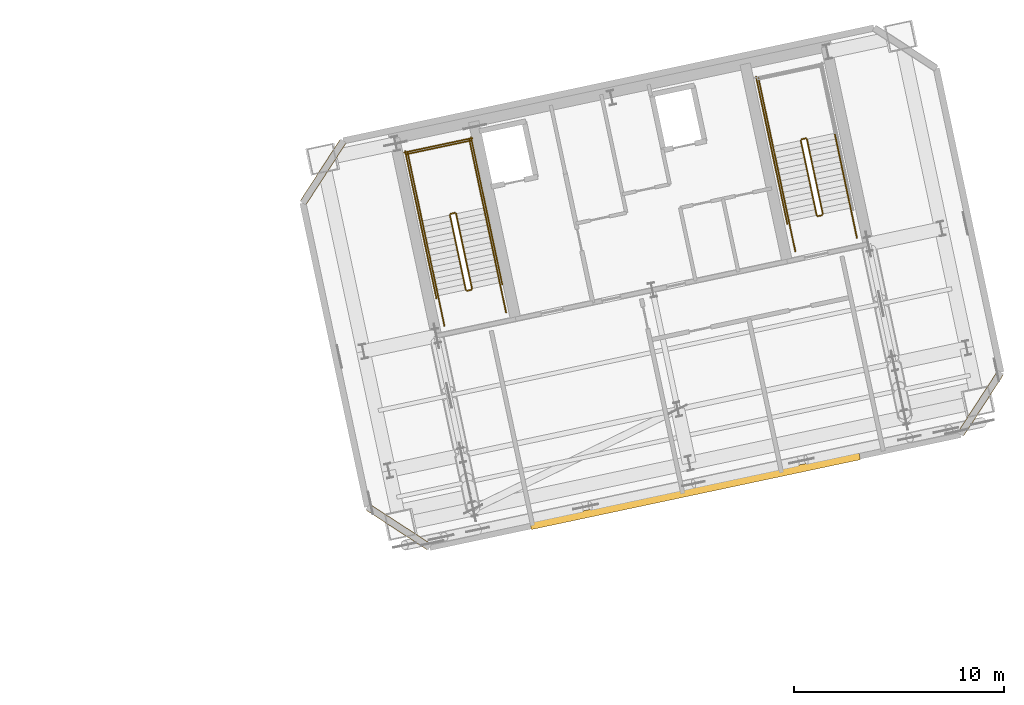
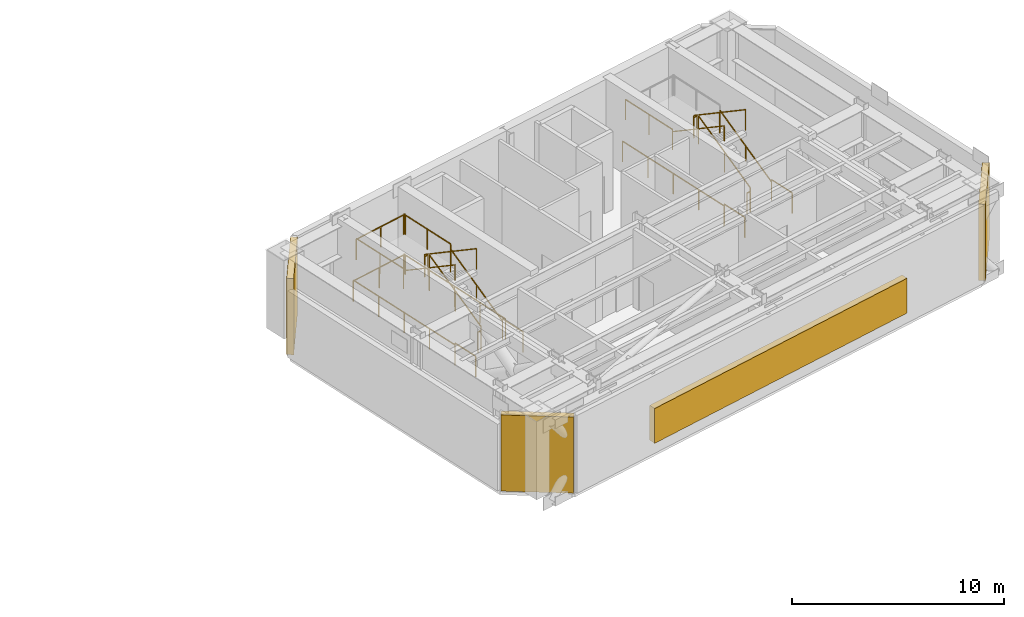
# One storey, part 14 of 15: 24 railings, 4 shading devices.
"""IFC4 building model written with IfcOpenShell, lengths in metres."""

from ifc_helpers import new_model, si_unit, direction, frame, origin, origin_2d, place, context, subcontext, project, spatial, rectangle, extrude, material, layer, layer_set, type_object, element, save


model = new_model("IFC4")

# Units and contexts
model_context = context("Model", 3, precision=1e-05, world=origin(), true_north=direction((0.0, 1.0)))
body_context = subcontext(model_context, "Body", "Model", "MODEL_VIEW")
ifc_project = project(units=[si_unit("LENGTHUNIT", "METRE"), si_unit("AREAUNIT", "SQUARE_METRE"), si_unit("VOLUMEUNIT", "CUBIC_METRE"), si_unit("PLANEANGLEUNIT", "RADIAN"), si_unit("MASSUNIT", "GRAM", prefix="KILO")], contexts=[model_context])

# Site, building, storey
site_placement = place(None, origin())
site = spatial("IfcSite", under=ifc_project, at=site_placement, CompositionType="ELEMENT")
building_placement = place(site_placement, origin())
building = spatial("IfcBuilding", under=site, at=building_placement, Name="Haevon Station Towers", CompositionType="ELEMENT")
storey_placement = place(building_placement, frame((0.0, 0.0, 192.300048828125)))
storey = spatial("IfcBuildingStorey", under=building, at=storey_placement, Name="L53", CompositionType="ELEMENT", Elevation=192.300048828125)

# Railings
ifc_material_1 = material(Name="Steel S355", Category="steel")
railing_type_1 = type_object("IfcRailingType", Name="GRD-STR1200", PredefinedType="GUARDRAIL", material=ifc_material_1)
railing_1_placement = place(storey_placement, frame((100.44140625, 39.69287109375, 0.17138671875)))
element("IfcRailing", 1, at=railing_1_placement, inside=storey, type_object=railing_type_1, Name="L53 ST3 Stair Guard 1", PredefinedType="GUARDRAIL", context=body_context, shape_type="SweptSolid", body=[
    extrude(rectangle(XDim=0.048095703125, YDim=0.048095703125, at=origin_2d()), frame((0.0, 0.0, 1.17578125), z_axis=(-0.17733280689, 0.834207846092, 0.522159310096), x_axis=(-0.978143676638, -0.20793015138, 0.0)), (0.0, 0.0, 1.0), 4.267822265625),
    extrude(rectangle(XDim=0.0419921875, YDim=0.0419921875, at=origin_2d()), origin(), (0.0, 0.0, 1.0), 1.15185546875),
    extrude(rectangle(XDim=0.0419921875, YDim=0.0419921875, at=origin_2d()), frame((-0.37841796875, 1.7802734375, 1.1142578125)), (0.0, 0.0, 1.0), 1.15185546875),
    extrude(rectangle(XDim=0.0419921875, YDim=0.0419921875, at=origin_2d()), frame((-0.7568359375, 3.560302734375, 2.228515625)), (0.0, 0.0, 1.0), 1.15185546875),
])
railing_2_placement = place(storey_placement, frame((99.625244140625, 43.291748046875, 2.39990234375)))
element("IfcRailing", 2, at=railing_2_placement, inside=storey, type_object=railing_type_1, Name="L53 ST3 Stair Guard 2", PredefinedType="GUARDRAIL", context=body_context, shape_type="SweptSolid", body=[
    extrude(rectangle(XDim=0.048095703125, YDim=0.048095703125, at=origin_2d()), frame((0.0, 0.0, 1.17578125), z_axis=(-0.978211583308, -0.207610448392, 0.0), x_axis=(0.207610448392, -0.978211583308, 0.0)), (0.0, 0.0, 1.0), 0.199951171875),
    extrude(rectangle(XDim=0.0419921875, YDim=0.0419921875, at=origin_2d()), origin(), (0.0, 0.0, 1.0), 1.15185546875),
    extrude(rectangle(XDim=0.0419921875, YDim=0.0419921875, at=origin_2d()), frame((-0.195556640625, -0.04150390625, 0.0)), (0.0, 0.0, 1.0), 1.15185546875),
])
railing_3_placement = place(storey_placement, frame((101.005126953125, 43.533935546875, 2.39990234375)))
element("IfcRailing", 3, at=railing_3_placement, inside=storey, type_object=railing_type_1, Name="L53 ST3 Stair Guard 3", PredefinedType="GUARDRAIL", context=body_context, shape_type="SweptSolid", body=[
    extrude(rectangle(XDim=0.048095703125, YDim=0.048095703125, at=origin_2d()), frame((0.0, 0.0, 1.17578125), z_axis=(-0.207931975805, 0.978143288807, 0.0), x_axis=(-0.978143288807, -0.207931975805, 0.0)), (0.0, 0.0, 1.0), 3.309814453125),
    extrude(rectangle(XDim=0.0419921875, YDim=0.0419921875, at=origin_2d()), origin(), (0.0, 0.0, 1.0), 1.15185546875),
    extrude(rectangle(XDim=0.0419921875, YDim=0.0419921875, at=origin_2d()), frame((-0.34423828125, 1.61865234375, 0.0)), (0.0, 0.0, 1.0), 1.15185546875),
    extrude(rectangle(XDim=0.0419921875, YDim=0.0419921875, at=origin_2d()), frame((-0.688232421875, 3.237548828125, 0.0)), (0.0, 0.0, 1.0), 1.15185546875),
])
railing_4_placement = place(storey_placement, frame((98.070556640625, 42.91015625, 2.39990234375)))
element("IfcRailing", 4, at=railing_4_placement, inside=storey, type_object=railing_type_1, Name="L53 ST3 Stair Guard 4", PredefinedType="GUARDRAIL", context=body_context, shape_type="SweptSolid", body=[
    extrude(rectangle(XDim=0.048095703125, YDim=0.048095703125, at=origin_2d()), frame((0.0, 0.0, 1.17578125), z_axis=(-0.207846406048, 0.978161475163, 0.0), x_axis=(-0.978161475163, -0.207846406048, 0.0)), (0.0, 0.0, 1.0), 3.31005859375),
    extrude(rectangle(XDim=0.0419921875, YDim=0.0419921875, at=origin_2d()), origin(), (0.0, 0.0, 1.0), 1.15185546875),
    extrude(rectangle(XDim=0.0419921875, YDim=0.0419921875, at=origin_2d()), frame((-0.343994140625, 1.618896484375, 0.0)), (0.0, 0.0, 1.0), 1.15185546875),
    extrude(rectangle(XDim=0.0419921875, YDim=0.0419921875, at=origin_2d()), frame((-0.68798828125, 3.23779296875, 0.0)), (0.0, 0.0, 1.0), 1.15185546875),
])
railing_5_placement = place(storey_placement, frame((100.376220703125, 46.733154296875, 2.39990234375)))
element("IfcRailing", 5, at=railing_5_placement, inside=storey, type_object=railing_type_1, Name="L53 ST3 Stair Guard 5", PredefinedType="GUARDRAIL", context=body_context, shape_type="SweptSolid", body=[
    extrude(rectangle(XDim=0.048095703125, YDim=0.048095703125, at=origin_2d()), frame((0.0, 0.0, 1.17578125), z_axis=(-0.978146839882, -0.207915270313, 0.0), x_axis=(0.207915270313, -0.978146839882, 0.0)), (0.0, 0.0, 1.0), 3.099853515625),
    extrude(rectangle(XDim=0.0419921875, YDim=0.0419921875, at=origin_2d()), origin(), (0.0, 0.0, 1.0), 1.15185546875),
    extrude(rectangle(XDim=0.0419921875, YDim=0.0419921875, at=origin_2d()), frame((-1.51611328125, -0.322265625, 0.0)), (0.0, 0.0, 1.0), 1.15185546875),
    extrude(rectangle(XDim=0.0419921875, YDim=0.0419921875, at=origin_2d()), frame((-3.0322265625, -0.64453125, 0.0)), (0.0, 0.0, 1.0), 1.15185546875),
])
railing_6_placement = place(storey_placement, frame((99.39111328125, 43.19091796875, 2.5712890625)))
element("IfcRailing", 6, at=railing_6_placement, inside=storey, type_object=railing_type_1, Name="L53 ST3 Stair Guard 6", PredefinedType="GUARDRAIL", context=body_context, shape_type="SweptSolid", body=[
    extrude(rectangle(XDim=0.048095703125, YDim=0.048095703125, at=origin_2d()), frame((0.0, 0.0, 1.17578125), z_axis=(0.177319048694, -0.834200324564, 0.522175998556), x_axis=(0.978146576304, 0.207916510322, 0.0)), (0.0, 0.0, 1.0), 4.268310546875),
    extrude(rectangle(XDim=0.0419921875, YDim=0.0419921875, at=origin_2d()), origin(), (0.0, 0.0, 1.0), 1.15185546875),
    extrude(rectangle(XDim=0.0419921875, YDim=0.0419921875, at=origin_2d()), frame((0.37841796875, -1.7802734375, 1.1142578125)), (0.0, 0.0, 1.0), 1.15185546875),
    extrude(rectangle(XDim=0.0419921875, YDim=0.0419921875, at=origin_2d()), frame((0.7568359375, -3.560546875, 2.228759765625)), (0.0, 0.0, 1.0), 1.15185546875),
])
railing_7_placement = place(storey_placement, frame((100.40283203125, 39.633544921875, 0.0)))
element("IfcRailing", 7, at=railing_7_placement, inside=storey, type_object=railing_type_1, Name="L53 ST3 Stair Guard 7", PredefinedType="GUARDRAIL", context=body_context, shape_type="SweptSolid", body=[
    extrude(rectangle(XDim=0.048095703125, YDim=0.048095703125, at=origin_2d()), frame((0.0, 0.0, 1.17578125), z_axis=(-0.977962931203, -0.208778603291, 0.0), x_axis=(0.208778603291, -0.977962931203, 0.0)), (0.0, 0.0, 1.0), 0.199951171875),
    extrude(rectangle(XDim=0.0419921875, YDim=0.0419921875, at=origin_2d()), origin(), (0.0, 0.0, 1.0), 1.15185546875),
    extrude(rectangle(XDim=0.0419921875, YDim=0.0419921875, at=origin_2d()), frame((-0.195556640625, -0.041748046875, 0.0)), (0.0, 0.0, 1.0), 1.15185546875),
])
for number, where, name in (
    (8, (102.0634765625, 38.55517578125, 0.0), "L53 ST3 Stair Guard 8"),
    (9, (99.12890625, 37.931396484375, 0.0), "L53 ST3 Stair Guard 9"),
):
    element("IfcRailing", number, at=place(storey_placement, frame(where)), inside=storey, type_object=railing_type_1, Name=name, PredefinedType="GUARDRAIL", context=body_context, shape_type="SweptSolid", body=[
        extrude(rectangle(XDim=0.048095703125, YDim=0.048095703125, at=origin_2d()), frame((0.0, 0.0, 1.17578125), z_axis=(-0.207953405961, 0.978138732977, 0.0), x_axis=(-0.978138732977, -0.207953405961, 0.0)), (0.0, 0.0, 1.0), 1.449951171875),
        extrude(rectangle(XDim=0.0419921875, YDim=0.0419921875, at=origin_2d()), origin(), (0.0, 0.0, 1.0), 1.15185546875),
        extrude(rectangle(XDim=0.0419921875, YDim=0.0419921875, at=origin_2d()), frame((-0.301513671875, 1.418212890625, 0.0)), (0.0, 0.0, 1.0), 1.15185546875),
    ])
railing_8_placement = place(storey_placement, frame((101.88037109375, 39.896484375, 0.0)))
element("IfcRailing", 10, at=railing_8_placement, inside=storey, type_object=railing_type_1, Name="L53 ST3 Stair Guard 10", PredefinedType="GUARDRAIL", context=body_context, shape_type="SweptSolid", body=[
    extrude(rectangle(XDim=0.048095703125, YDim=0.048095703125, at=origin_2d()), frame((0.0, 0.0, 1.17578125), z_axis=(-0.207882442208, 0.978153817261, 0.0), x_axis=(-0.978153817261, -0.207882442208, 0.0)), (0.0, 0.0, 1.0), 7.14990234375),
    extrude(rectangle(XDim=0.0419921875, YDim=0.0419921875, at=origin_2d()), origin(), (0.0, 0.0, 1.0), 1.15185546875),
    extrude(rectangle(XDim=0.0419921875, YDim=0.0419921875, at=origin_2d()), frame((-0.37158203125, 1.74853515625, 0.0)), (0.0, 0.0, 1.0), 1.15185546875),
    extrude(rectangle(XDim=0.0419921875, YDim=0.0419921875, at=origin_2d()), frame((-0.7431640625, 3.496826171875, 0.0)), (0.0, 0.0, 1.0), 1.15185546875),
    extrude(rectangle(XDim=0.0419921875, YDim=0.0419921875, at=origin_2d()), frame((-1.11474609375, 5.2451171875, 0.0)), (0.0, 0.0, 1.0), 1.15185546875),
    extrude(rectangle(XDim=0.0419921875, YDim=0.0419921875, at=origin_2d()), frame((-1.486328125, 6.99365234375, 0.0)), (0.0, 0.0, 1.0), 1.15185546875),
])
railing_9_placement = place(storey_placement, frame((98.75048828125, 39.231201171875, 0.0)))
element("IfcRailing", 11, at=railing_9_placement, inside=storey, type_object=railing_type_1, Name="L53 ST3 Stair Guard 11", PredefinedType="GUARDRAIL", context=body_context, shape_type="SweptSolid", body=[
    extrude(rectangle(XDim=0.048095703125, YDim=0.048095703125, at=origin_2d()), frame((0.0, 0.0, 1.17578125), z_axis=(-0.207915112487, 0.978146873429, 0.0), x_axis=(-0.978146873429, -0.207915112487, 0.0)), (0.0, 0.0, 1.0), 7.14990234375),
    extrude(rectangle(XDim=0.0419921875, YDim=0.0419921875, at=origin_2d()), origin(), (0.0, 0.0, 1.0), 1.15185546875),
    extrude(rectangle(XDim=0.0419921875, YDim=0.0419921875, at=origin_2d()), frame((-0.37158203125, 1.74853515625, 0.0)), (0.0, 0.0, 1.0), 1.15185546875),
    extrude(rectangle(XDim=0.0419921875, YDim=0.0419921875, at=origin_2d()), frame((-0.7431640625, 3.496826171875, 0.0)), (0.0, 0.0, 1.0), 1.15185546875),
    extrude(rectangle(XDim=0.0419921875, YDim=0.0419921875, at=origin_2d()), frame((-1.114990234375, 5.2451171875, 0.0)), (0.0, 0.0, 1.0), 1.15185546875),
    extrude(rectangle(XDim=0.0419921875, YDim=0.0419921875, at=origin_2d()), frame((-1.486572265625, 6.99365234375, 0.0)), (0.0, 0.0, 1.0), 1.15185546875),
])
railing_10_placement = place(storey_placement, frame((100.453125, 46.8515625, 0.0)))
element("IfcRailing", 12, at=railing_10_placement, inside=storey, type_object=railing_type_1, Name="L53 ST3 Stair Guard 12", PredefinedType="GUARDRAIL", context=body_context, shape_type="SweptSolid", body=[
    extrude(rectangle(XDim=0.048095703125, YDim=0.048095703125, at=origin_2d()), frame((0.0, 0.0, 1.17578125), z_axis=(-0.978150764849, -0.207896804268, 0.0), x_axis=(0.207896804268, -0.978150764849, 0.0)), (0.0, 0.0, 1.0), 3.2998046875),
    extrude(rectangle(XDim=0.0419921875, YDim=0.0419921875, at=origin_2d()), origin(), (0.0, 0.0, 1.0), 1.15185546875),
    extrude(rectangle(XDim=0.0419921875, YDim=0.0419921875, at=origin_2d()), frame((-1.61376953125, -0.343017578125, 0.0)), (0.0, 0.0, 1.0), 1.15185546875),
    extrude(rectangle(XDim=0.0419921875, YDim=0.0419921875, at=origin_2d()), frame((-3.227783203125, -0.68603515625, 0.0)), (0.0, 0.0, 1.0), 1.15185546875),
])
railing_11_placement = place(storey_placement, frame((117.128662109375, 43.23974609375, 0.17138671875)))
element("IfcRailing", 13, at=railing_11_placement, inside=storey, type_object=railing_type_1, Name="L53 ST4 Stair Guard 1", PredefinedType="GUARDRAIL", context=body_context, shape_type="SweptSolid", body=[
    extrude(rectangle(XDim=0.048095703125, YDim=0.048095703125, at=origin_2d()), frame((0.0, 0.0, 1.17578125), z_axis=(-0.177324344861, 0.834225240467, 0.522134393512), x_axis=(-0.978146576304, -0.207916510322, 0.0)), (0.0, 0.0, 1.0), 4.26806640625),
    extrude(rectangle(XDim=0.0419921875, YDim=0.0419921875, at=origin_2d()), origin(), (0.0, 0.0, 1.0), 1.15185546875),
    extrude(rectangle(XDim=0.0419921875, YDim=0.0419921875, at=origin_2d()), frame((-0.37841796875, 1.7802734375, 1.1142578125)), (0.0, 0.0, 1.0), 1.15185546875),
    extrude(rectangle(XDim=0.0419921875, YDim=0.0419921875, at=origin_2d()), frame((-0.7568359375, 3.560546875, 2.228515625)), (0.0, 0.0, 1.0), 1.15185546875),
])
railing_12_placement = place(storey_placement, frame((116.3125, 46.838623046875, 2.39990234375)))
element("IfcRailing", 14, at=railing_12_placement, inside=storey, type_object=railing_type_1, Name="L53 ST4 Stair Guard 2", PredefinedType="GUARDRAIL", context=body_context, shape_type="SweptSolid", body=[
    extrude(rectangle(XDim=0.048095703125, YDim=0.048095703125, at=origin_2d()), frame((0.0, 0.0, 1.17578125), z_axis=(-0.978211583308, -0.207610448392, 0.0), x_axis=(0.207610448392, -0.978211583308, 0.0)), (0.0, 0.0, 1.0), 0.199951171875),
    extrude(rectangle(XDim=0.0419921875, YDim=0.0419921875, at=origin_2d()), origin(), (0.0, 0.0, 1.0), 1.15185546875),
    extrude(rectangle(XDim=0.0419921875, YDim=0.0419921875, at=origin_2d()), frame((-0.195556640625, -0.04150390625, 0.0)), (0.0, 0.0, 1.0), 1.15185546875),
])
railing_13_placement = place(storey_placement, frame((114.7578125, 46.45703125, 2.39990234375)))
element("IfcRailing", 15, at=railing_13_placement, inside=storey, type_object=railing_type_1, Name="L53 ST4 Stair Guard 4", PredefinedType="GUARDRAIL", context=body_context, shape_type="SweptSolid", body=[
    extrude(rectangle(XDim=0.048095703125, YDim=0.048095703125, at=origin_2d()), frame((0.0, 0.0, 1.17578125), z_axis=(-0.207916974835, 0.978146477566, 0.0), x_axis=(-0.978146477566, -0.207916974835, 0.0)), (0.0, 0.0, 1.0), 3.31005859375),
    extrude(rectangle(XDim=0.0419921875, YDim=0.0419921875, at=origin_2d()), origin(), (0.0, 0.0, 1.0), 1.15185546875),
    extrude(rectangle(XDim=0.0419921875, YDim=0.0419921875, at=origin_2d()), frame((-0.34423828125, 1.618896484375, 0.0)), (0.0, 0.0, 1.0), 1.15185546875),
    extrude(rectangle(XDim=0.0419921875, YDim=0.0419921875, at=origin_2d()), frame((-0.688232421875, 3.23779296875, 0.0)), (0.0, 0.0, 1.0), 1.15185546875),
])
railing_14_placement = place(storey_placement, frame((116.078369140625, 46.73779296875, 2.5712890625)))
element("IfcRailing", 16, at=railing_14_placement, inside=storey, type_object=railing_type_1, Name="L53 ST4 Stair Guard 6", PredefinedType="GUARDRAIL", context=body_context, shape_type="SweptSolid", body=[
    extrude(rectangle(XDim=0.048095703125, YDim=0.048095703125, at=origin_2d()), frame((0.0, 0.0, 1.17578125), z_axis=(0.177319048694, -0.834200324564, 0.522175998556), x_axis=(0.978146576304, 0.207916510322, 0.0)), (0.0, 0.0, 1.0), 4.268310546875),
    extrude(rectangle(XDim=0.0419921875, YDim=0.0419921875, at=origin_2d()), origin(), (0.0, 0.0, 1.0), 1.15185546875),
    extrude(rectangle(XDim=0.0419921875, YDim=0.0419921875, at=origin_2d()), frame((0.37841796875, -1.7802734375, 1.1142578125)), (0.0, 0.0, 1.0), 1.15185546875),
    extrude(rectangle(XDim=0.0419921875, YDim=0.0419921875, at=origin_2d()), frame((0.7568359375, -3.560546875, 2.228759765625)), (0.0, 0.0, 1.0), 1.15185546875),
])
railing_15_placement = place(storey_placement, frame((117.090087890625, 43.180419921875, 0.0)))
element("IfcRailing", 17, at=railing_15_placement, inside=storey, type_object=railing_type_1, Name="L53 ST4 Stair Guard 7", PredefinedType="GUARDRAIL", context=body_context, shape_type="SweptSolid", body=[
    extrude(rectangle(XDim=0.048095703125, YDim=0.048095703125, at=origin_2d()), frame((0.0, 0.0, 1.17578125), z_axis=(-0.978211583308, -0.207610448392, 0.0), x_axis=(0.207610448392, -0.978211583308, 0.0)), (0.0, 0.0, 1.0), 0.199951171875),
    extrude(rectangle(XDim=0.0419921875, YDim=0.0419921875, at=origin_2d()), origin(), (0.0, 0.0, 1.0), 1.15185546875),
    extrude(rectangle(XDim=0.0419921875, YDim=0.0419921875, at=origin_2d()), frame((-0.195556640625, -0.04150390625, 0.0)), (0.0, 0.0, 1.0), 1.15185546875),
])
for number, where, name in (
    (18, (118.75048828125, 42.10205078125, 0.0), "L53 ST4 Stair Guard 8"),
    (19, (115.816162109375, 41.478271484375, 0.0), "L53 ST4 Stair Guard 9"),
):
    element("IfcRailing", number, at=place(storey_placement, frame(where)), inside=storey, type_object=railing_type_1, Name=name, PredefinedType="GUARDRAIL", context=body_context, shape_type="SweptSolid", body=[
        extrude(rectangle(XDim=0.048095703125, YDim=0.048095703125, at=origin_2d()), frame((0.0, 0.0, 1.17578125), z_axis=(-0.207919161079, 0.978146012851, 0.0), x_axis=(-0.978146012851, -0.207919161079, 0.0)), (0.0, 0.0, 1.0), 1.4501953125),
        extrude(rectangle(XDim=0.0419921875, YDim=0.0419921875, at=origin_2d()), origin(), (0.0, 0.0, 1.0), 1.15185546875),
        extrude(rectangle(XDim=0.0419921875, YDim=0.0419921875, at=origin_2d()), frame((-0.301513671875, 1.41845703125, 0.0)), (0.0, 0.0, 1.0), 1.15185546875),
    ])
railing_16_placement = place(storey_placement, frame((115.4375, 42.778076171875, 0.0)))
element("IfcRailing", 20, at=railing_16_placement, inside=storey, type_object=railing_type_1, Name="L53 ST4 Stair Guard 11", PredefinedType="GUARDRAIL", context=body_context, shape_type="SweptSolid", body=[
    extrude(rectangle(XDim=0.048095703125, YDim=0.048095703125, at=origin_2d()), frame((0.0, 0.0, 1.17578125), z_axis=(-0.207882442208, 0.978153817261, 0.0), x_axis=(-0.978153817261, -0.207882442208, 0.0)), (0.0, 0.0, 1.0), 7.14990234375),
    extrude(rectangle(XDim=0.0419921875, YDim=0.0419921875, at=origin_2d()), origin(), (0.0, 0.0, 1.0), 1.15185546875),
    extrude(rectangle(XDim=0.0419921875, YDim=0.0419921875, at=origin_2d()), frame((-0.37158203125, 1.74853515625, 0.0)), (0.0, 0.0, 1.0), 1.15185546875),
    extrude(rectangle(XDim=0.0419921875, YDim=0.0419921875, at=origin_2d()), frame((-0.7431640625, 3.496826171875, 0.0)), (0.0, 0.0, 1.0), 1.15185546875),
    extrude(rectangle(XDim=0.0419921875, YDim=0.0419921875, at=origin_2d()), frame((-1.11474609375, 5.2451171875, 0.0)), (0.0, 0.0, 1.0), 1.15185546875),
    extrude(rectangle(XDim=0.0419921875, YDim=0.0419921875, at=origin_2d()), frame((-1.486328125, 6.99365234375, 0.0)), (0.0, 0.0, 1.0), 1.15185546875),
])
railing_type_2 = type_object("IfcRailingType", Name="HND-STR900", PredefinedType="HANDRAIL", material=ifc_material_1)
railing_17_placement = place(storey_placement, frame((101.761962890625, 39.973388671875, 0.17138671875)))
element("IfcRailing", 21, at=railing_17_placement, inside=storey, type_object=railing_type_2, Name="L53 ST3 Stair Handrail 1", PredefinedType="HANDRAIL", context=body_context, shape_type="SweptSolid", body=[
    extrude(rectangle(XDim=0.048095703125, YDim=0.048095703125, at=origin_2d()), frame((0.0, 0.0, 0.8759765625), z_axis=(-0.177324344861, 0.834225240467, 0.522134393512), x_axis=(-0.978146576304, -0.207916510322, 0.0)), (0.0, 0.0, 1.0), 4.26806640625),
    extrude(rectangle(XDim=0.0419921875, YDim=0.0419921875, at=origin_2d()), origin(), (0.0, 0.0, 1.0), 0.851806640625),
    extrude(rectangle(XDim=0.0419921875, YDim=0.0419921875, at=origin_2d()), frame((-0.37841796875, 1.7802734375, 1.1142578125)), (0.0, 0.0, 1.0), 0.851806640625),
    extrude(rectangle(XDim=0.0419921875, YDim=0.0419921875, at=origin_2d()), frame((-0.7568359375, 3.560546875, 2.228515625)), (0.0, 0.0, 1.0), 0.851806640625),
])
railing_18_placement = place(storey_placement, frame((98.070556640625, 42.91015625, 2.5712890625)))
element("IfcRailing", 22, at=railing_18_placement, inside=storey, type_object=railing_type_2, Name="L53 ST3 Stair Handrail 2", PredefinedType="HANDRAIL", context=body_context, shape_type="SweptSolid", body=[
    extrude(rectangle(XDim=0.048095703125, YDim=0.048095703125, at=origin_2d()), frame((0.0, 0.0, 0.8759765625), z_axis=(0.177319048694, -0.834200324564, 0.522175998556), x_axis=(0.978146576304, 0.207916510322, 0.0)), (0.0, 0.0, 1.0), 4.268310546875),
    extrude(rectangle(XDim=0.0419921875, YDim=0.0419921875, at=origin_2d()), origin(), (0.0, 0.0, 1.0), 0.851806640625),
    extrude(rectangle(XDim=0.0419921875, YDim=0.0419921875, at=origin_2d()), frame((0.37841796875, -1.7802734375, 1.1142578125)), (0.0, 0.0, 1.0), 0.851806640625),
    extrude(rectangle(XDim=0.0419921875, YDim=0.0419921875, at=origin_2d()), frame((0.7568359375, -3.560546875, 2.228759765625)), (0.0, 0.0, 1.0), 0.851806640625),
])
railing_19_placement = place(storey_placement, frame((118.448974609375, 43.5205078125, 0.17138671875)))
element("IfcRailing", 23, at=railing_19_placement, inside=storey, type_object=railing_type_2, Name="L53 ST4 Stair Handrail 1", PredefinedType="HANDRAIL", context=body_context, shape_type="SweptSolid", body=[
    extrude(rectangle(XDim=0.048095703125, YDim=0.048095703125, at=origin_2d()), frame((0.0, 0.0, 0.8759765625), z_axis=(-0.17727740081, 0.834216307201, 0.522164606194), x_axis=(-0.978157316656, -0.207865975747, 0.0)), (0.0, 0.0, 1.0), 4.267822265625),
    extrude(rectangle(XDim=0.0419921875, YDim=0.0419921875, at=origin_2d()), origin(), (0.0, 0.0, 1.0), 0.851806640625),
    extrude(rectangle(XDim=0.0419921875, YDim=0.0419921875, at=origin_2d()), frame((-0.37841796875, 1.7802734375, 1.1142578125)), (0.0, 0.0, 1.0), 0.851806640625),
    extrude(rectangle(XDim=0.0419921875, YDim=0.0419921875, at=origin_2d()), frame((-0.756591796875, 3.560302734375, 2.228515625)), (0.0, 0.0, 1.0), 0.851806640625),
])
railing_20_placement = place(storey_placement, frame((114.7578125, 46.45703125, 2.5712890625)))
element("IfcRailing", 24, at=railing_20_placement, inside=storey, type_object=railing_type_2, Name="L53 ST4 Stair Handrail 2", PredefinedType="HANDRAIL", context=body_context, shape_type="SweptSolid", body=[
    extrude(rectangle(XDim=0.048095703125, YDim=0.048095703125, at=origin_2d()), frame((0.0, 0.0, 0.8759765625), z_axis=(0.177327509965, -0.83418292833, 0.522200915637), x_axis=(0.978143676638, 0.20793015138, 0.0)), (0.0, 0.0, 1.0), 4.26806640625),
    extrude(rectangle(XDim=0.0419921875, YDim=0.0419921875, at=origin_2d()), origin(), (0.0, 0.0, 1.0), 0.851806640625),
    extrude(rectangle(XDim=0.0419921875, YDim=0.0419921875, at=origin_2d()), frame((0.37841796875, -1.7802734375, 1.1142578125)), (0.0, 0.0, 1.0), 0.851806640625),
    extrude(rectangle(XDim=0.0419921875, YDim=0.0419921875, at=origin_2d()), frame((0.7568359375, -3.560302734375, 2.228759765625)), (0.0, 0.0, 1.0), 0.851806640625),
])

# Shading devices
ifc_material_2 = material(Name="Anodised aluminium 6063-T6", Category="aluminium")
ifc_layer_1 = layer(ifc_material_2, 0.1201171875)
ifc_layer_set_1 = layer_set([ifc_layer_1], Name="Anodised aluminium 6063-T6")
shading_device_type_1 = type_object("IfcShadingDeviceType", Name="SHD-REF-LOUVRE", PredefinedType="USERDEFINED", material=ifc_layer_set_1)
shading_device_placement = place(storey_placement, frame((111.05419921875, 30.069091796875, 0.599853515625), z_axis=(0.0, 0.0, 1.0), x_axis=(0.978147600734, 0.207911690818, 0.0)))
element("IfcShadingDevice", 25, at=shading_device_placement, inside=storey, type_object=shading_device_type_1, Name="Tower 2 L53 Refuge Plant Weather Louvre", ObjectType="LOUVRE", PredefinedType="USERDEFINED", context=body_context, shape_type="SweptSolid", body=[
    extrude(rectangle(XDim=16.0, YDim=0.360107421875, at=origin_2d()), origin(), (0.0, 0.0, 1.0), 2.0),
])
ifc_layer_2 = layer(ifc_material_2, 0.139892578125)
ifc_layer_set_2 = layer_set([ifc_layer_2], Name="Anodised aluminium 6063-T6")
shading_device_type_2 = type_object("IfcShadingDeviceType", Name="SHD-WIND-BAFFLE", PredefinedType="SHUTTER", material=ifc_layer_set_2)
for number, where, z_axis, x_axis, name in (
    (26, (96.95361328125, 28.349609375, 0.050048828125), (0.0, 0.0, 1.0), (-0.838670648839, 0.544638910449, 0.0), "Tower 2 L53 Wind-Corner Aerofoil Baffle SWC"),
    (27, (93.36279296875, 45.242431640625, 0.050048828125), (0.0, 0.0, 1.0), (0.544639109388, 0.838670519647, 0.0), "Tower 2 L53 Wind-Corner Aerofoil Baffle NWC"),
    (28, (124.635009765625, 34.233642578125, 0.050048828125), (0.0, 0.0, 1.0), (-0.544638980197, -0.838670603544, 0.0), "Tower 2 L53 Wind-Corner Aerofoil Baffle SEC"),
):
    element("IfcShadingDevice", number, at=place(storey_placement, frame(where, z_axis=z_axis, x_axis=x_axis)), inside=storey, type_object=shading_device_type_2, Name=name, PredefinedType="SHUTTER", context=body_context, shape_type="SweptSolid", body=[
        extrude(rectangle(XDim=3.435546875, YDim=0.340087890625, at=origin_2d()), origin(), (0.0, 0.0, 1.0), 4.3798828125),
    ])

save(model, "model.ifc")
